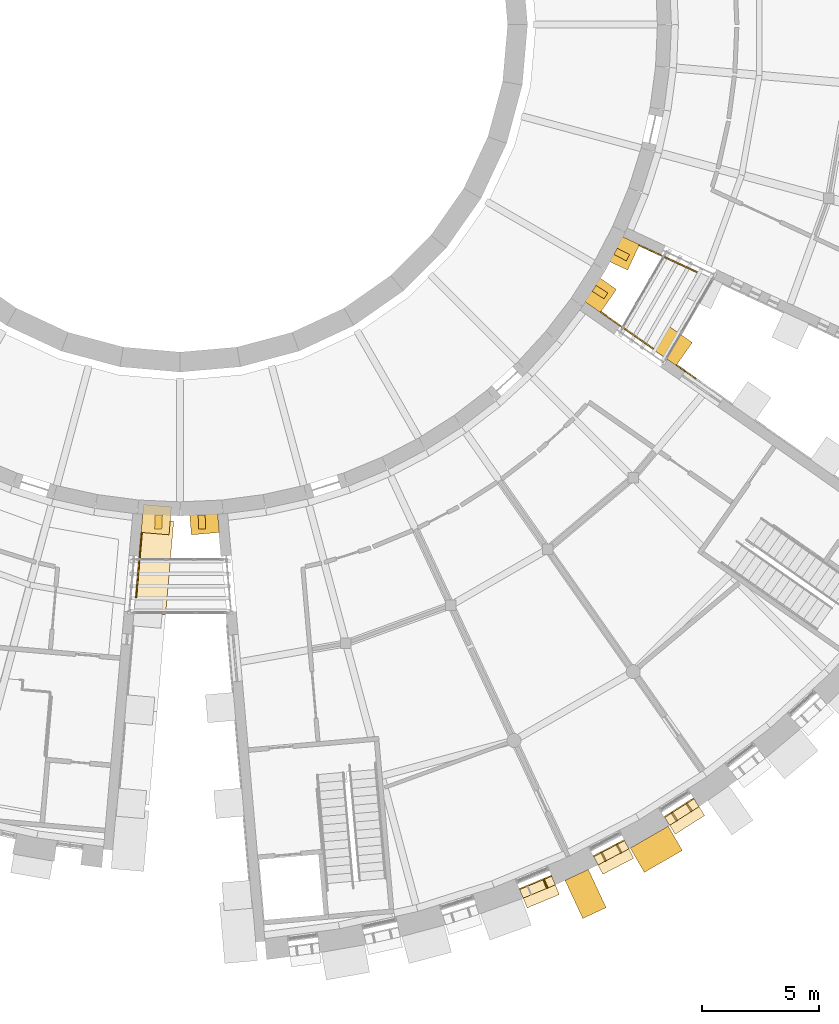
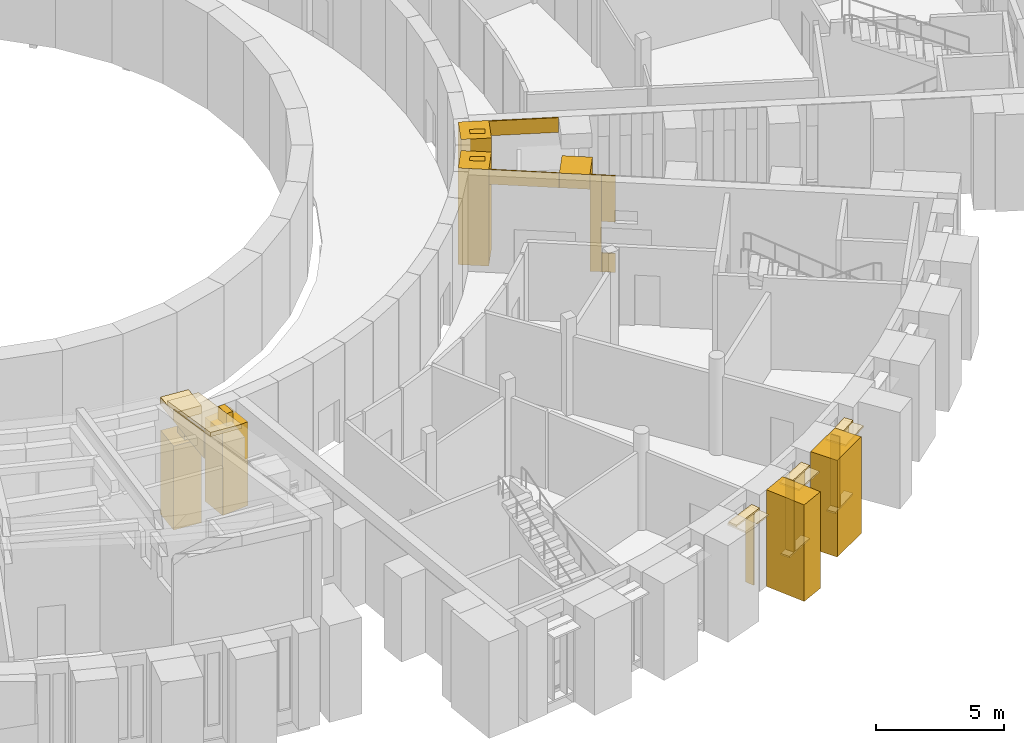
# One storey, part 54 of 66: 32 coverings.
"""IFC4 building model written with IfcOpenShell, lengths in metres."""

from ifc_helpers import new_model, si_unit, direction, frame, origin, origin_2d, place, context, subcontext, project, spatial, polyline, rectangle, outline, extrude, material, layer, layer_set, type_object, element, save


model = new_model("IFC4")

# Units and contexts
model_context = context("Model", 3, precision=1e-05, world=origin(), true_north=direction((0.0, 1.0)))
body_context = subcontext(model_context, "Body", "Model", "MODEL_VIEW")
ifc_project = project(units=[si_unit("LENGTHUNIT", "METRE"), si_unit("AREAUNIT", "SQUARE_METRE"), si_unit("VOLUMEUNIT", "CUBIC_METRE"), si_unit("PLANEANGLEUNIT", "RADIAN"), si_unit("MASSUNIT", "GRAM", prefix="KILO")], contexts=[model_context])

# Site, building, storey
site_placement = place(None, origin())
site = spatial("IfcSite", under=ifc_project, at=site_placement, CompositionType="ELEMENT")
building_placement = place(site_placement, origin())
building = spatial("IfcBuilding", under=site, at=building_placement, Name="Volute Hill Aquarium", CompositionType="ELEMENT")
storey_placement = place(building_placement, frame((0.0, 0.0, 4.60009765625)))
storey = spatial("IfcBuildingStorey", under=building, at=storey_placement, Name="L02", CompositionType="ELEMENT", Elevation=4.60009765625)

# Coverings
ifc_material_1 = material(Name="Precast pale concrete C40/50", Category="concrete")
covering_type_1 = type_object("IfcCoveringType", Name="Drum pier fin 300x600", PredefinedType="CLADDING", material=ifc_material_1)
for number, where, z_axis, x_axis, name in (
    (1, (-0.92822265625, -21.260009765625, -0.000244140625), (0.0, 0.0, 1.0), (0.999048221582, -0.043619387365, 0.0), "Drum pier fin DF 54 L02"),
    (2, (0.92822265625, -21.260009765625, -0.000244140625), (0.0, 0.0, 1.0), (0.999048221582, 0.043619387365, 0.0), "Drum pier fin DF 55 L02"),
    (3, (17.947509765625, -11.433837890625, -0.000244140625), (0.0, 0.0, 1.0), (0.537299608347, 0.843391445813, 0.0), "Drum pier fin DF 66 L02"),
    (4, (18.8759765625, -9.826171875, -0.000244140625), (0.0, 0.0, 1.0), (0.461748613235, 0.887010833178, 0.0), "Drum pier fin DF 67 L02"),
):
    element("IfcCovering", number, at=place(storey_placement, frame(where, z_axis=z_axis, x_axis=x_axis)), inside=storey, type_object=covering_type_1, Name=name, PredefinedType="CLADDING", context=body_context, shape_type="SweptSolid", body=[
        extrude(rectangle(XDim=0.300048828125, YDim=0.60009765625, at=origin_2d()), origin(), (0.0, 0.0, 1.0), 4.60009765625),
    ])
ifc_material_2 = material(Name="Precast concrete C40/50", Category="concrete")
covering_type_2 = type_object("IfcCoveringType", Name="End wall precast coping C40/50 1350x200", PredefinedType="CLADDING", material=ifc_material_2)
covering_1_placement = place(storey_placement, frame((-1.620849609375, -21.109130859375, 5.58544921875), z_axis=(-0.996191999055, 0.087186587376, 0.0), x_axis=(-0.084441396822, -0.964825513128, 0.24896059873)))
element("IfcCovering", 5, at=covering_1_placement, inside=storey, type_object=covering_type_2, Name="End wall coping EWC S2B L02 1", PredefinedType="CLADDING", context=body_context, shape_type="SweptSolid", body=[
    extrude(outline(polyline([(0.0, 0.0), (4.140260442843713, 0.0), (4.190101187706725, 0.193891885592133), (0.04977996346683731, 0.1936554320731183), (0.0, 0.0)])), origin(), (0.0, 0.0, -1.0), 1.35009765625),
])
ifc_material_3 = material(Name="Precast concrete C40/50", Category="concrete")
covering_type_3 = type_object("IfcCoveringType", Name="End wall precast fin C40/50 1200x1200", PredefinedType="CLADDING", material=ifc_material_3)
covering_2_placement = place(storey_placement, frame((-1.023193359375, -21.161376953125, 0.0), z_axis=(0.0, 0.0, 1.0), x_axis=(-0.087151294349, -0.996195087266, 0.0)))
element("IfcCovering", 6, at=covering_2_placement, inside=storey, type_object=covering_type_3, Name="End wall fin EWF S2B L02 1", PredefinedType="CLADDING", context=body_context, shape_type="SweptSolid", body=[
    extrude(rectangle(XDim=1.199951171875, YDim=1.199951171875, at=origin_2d()), origin(), (0.0, 0.0, 1.0), 4.0),
])
covering_3_placement = place(storey_placement, frame((-1.023193359375, -21.161376953125, 5.19970703125), z_axis=(0.0, 0.0, 1.0), x_axis=(-0.087151294349, -0.996195087266, 0.0)))
element("IfcCovering", 7, at=covering_3_placement, inside=storey, type_object=covering_type_3, Name="End wall fin EWF S2B L02 1", PredefinedType="CLADDING", context=body_context, shape_type="SweptSolid", body=[
    extrude(rectangle(XDim=1.199951171875, YDim=1.199951171875, at=origin_2d()), origin(), (0.0, 0.0, 1.0), 0.385498046875),
])
covering_4_placement = place(storey_placement, frame((1.023193359375, -21.161376953125, 0.0), z_axis=(0.0, 0.0, 1.0), x_axis=(0.0871544444, -0.996194811682, 0.0)))
element("IfcCovering", 8, at=covering_4_placement, inside=storey, type_object=covering_type_3, Name="End wall fin EWF S3A L02 1", PredefinedType="CLADDING", context=body_context, shape_type="SweptSolid", body=[
    extrude(rectangle(XDim=1.199951171875, YDim=1.199951171875, at=origin_2d()), origin(), (0.0, 0.0, 1.0), 4.0),
])
covering_5_placement = place(storey_placement, frame((17.814697265625, -11.466796875, -0.000244140625), z_axis=(0.0, 0.0, 1.0), x_axis=(0.819152467225, -0.573575832335, 0.0)))
element("IfcCovering", 9, at=covering_5_placement, inside=storey, type_object=covering_type_3, Name="End wall fin EWF S3B L02 1", PredefinedType="CLADDING", context=body_context, shape_type="SweptSolid", body=[
    extrude(rectangle(XDim=1.199951171875, YDim=1.199951171875, at=origin_2d()), origin(), (0.0, 0.0, 1.0), 4.60009765625),
])
covering_6_placement = place(storey_placement, frame((21.056396484375, -13.73681640625, 3.89990234375), z_axis=(0.0, 0.0, 1.0), x_axis=(0.819152467225, -0.573575832335, 0.0)))
element("IfcCovering", 10, at=covering_6_placement, inside=storey, type_object=covering_type_3, Name="End wall fin EWF S3B L02 2", PredefinedType="CLADDING", context=body_context, shape_type="SweptSolid", body=[
    extrude(rectangle(XDim=1.199951171875, YDim=1.199951171875, at=origin_2d()), origin(), (0.0, 0.0, 1.0), 0.699951171875),
])
covering_7_placement = place(storey_placement, frame((18.837890625, -9.694580078125, -0.000244140625), z_axis=(0.0, 0.0, 1.0), x_axis=(0.906308670387, -0.422616367385, 0.0)))
element("IfcCovering", 11, at=covering_7_placement, inside=storey, type_object=covering_type_3, Name="End wall fin EWF S4A L02 1", PredefinedType="CLADDING", context=body_context, shape_type="SweptSolid", body=[
    extrude(rectangle(XDim=1.199951171875, YDim=1.199951171875, at=origin_2d()), origin(), (0.0, 0.0, 1.0), 4.60009765625),
])
ifc_material_4 = material(Name="Precast concrete C40/50", Category="concrete")
ifc_layer_1 = layer(ifc_material_4, 0.050048828125)
ifc_layer_set_1 = layer_set([ifc_layer_1], Name="End wall precast infill panel C40/50 50")
covering_type_4 = type_object("IfcCoveringType", Name="End wall precast infill panel C40/50 50", PredefinedType="CLADDING", material=ifc_layer_set_1)
covering_8_placement = place(storey_placement, frame((-1.67333984375, -21.706787109375, 5.199951171875), z_axis=(-0.996195791942, 0.087143239082, 0.0), x_axis=(-0.087143239082, -0.996195791942, 0.0)))
element("IfcCovering", 12, at=covering_8_placement, inside=storey, type_object=covering_type_4, Name="End wall panel EWP S2B L02 1", PredefinedType="CLADDING", context=body_context, shape_type="SweptSolid", body=[
    extrude(outline(polyline([(0.0, 0.0), (2.810006254688103, 0.0), (2.810006254688103, 1.26220703125), (0.0, 0.539794921875), (0.0, 0.0)])), origin(), (0.0, 0.0, -1.0), 0.050048828125),
])
covering_9_placement = place(storey_placement, frame((17.9619140625, -12.302490234375, 3.89990234375), z_axis=(-0.573557416232, -0.819165361991, 0.0), x_axis=(0.819165361991, -0.573557416232, 0.0)))
element("IfcCovering", 13, at=covering_9_placement, inside=storey, type_object=covering_type_4, Name="End wall panel EWP S3B L02 1", PredefinedType="CLADDING", context=body_context, shape_type="SweptSolid", body=[
    extrude(outline(polyline([(0.0, 0.0), (2.7574274588594703, 0.0), (2.7574274588594703, 0.699951171875), (0.0, 0.699951171875), (0.0, 0.0)])), origin(), (0.0, 0.0, -1.0), 0.050048828125),
])
covering_10_placement = place(storey_placement, frame((21.20361328125, -14.572509765625, 0.0), z_axis=(-0.573462344363, -0.819231920519, 0.0), x_axis=(0.819231920519, -0.573462344363, 0.0)))
element("IfcCovering", 14, at=covering_10_placement, inside=storey, type_object=covering_type_4, Name="End wall panel EWP S3B L02 2", PredefinedType="CLADDING", context=body_context, shape_type="SweptSolid", body=[
    extrude(outline(polyline([(0.0, 0.0), (0.4499975336854954, 0.0), (0.4499975336854954, 4.599853515625), (0.0, 4.599853515625), (0.0, 0.0)])), origin(), (0.0, 0.0, -1.0), 0.050048828125),
])
covering_11_placement = place(storey_placement, frame((21.572265625, -14.83056640625, 0.0), z_axis=(-0.573580694562, -0.819149062641, 0.0), x_axis=(0.819149062641, -0.573580694562, 0.0)))
element("IfcCovering", 15, at=covering_11_placement, inside=storey, type_object=covering_type_4, Name="End wall panel EWP S3B L02 2", PredefinedType="CLADDING", context=body_context, shape_type="SweptSolid", body=[
    extrude(outline(polyline([(0.0, 0.0), (0.5537615825225353, 0.0), (0.5537615825225353, 0.89990234375), (0.0, 0.89990234375), (0.0, 0.0)])), origin(), (0.0, 0.0, -1.0), 0.050048828125),
])
covering_12_placement = place(storey_placement, frame((21.572265625, -14.83056640625, 2.39990234375), z_axis=(-0.573580694562, -0.819149062641, 0.0), x_axis=(0.819149062641, -0.573580694562, 0.0)))
element("IfcCovering", 16, at=covering_12_placement, inside=storey, type_object=covering_type_4, Name="End wall panel EWP S3B L02 2", PredefinedType="CLADDING", context=body_context, shape_type="SweptSolid", body=[
    extrude(outline(polyline([(0.0, 0.0), (0.5537615825225353, 0.0), (0.5537615825225353, 2.199951171875), (0.0, 2.199951171875), (0.0, 0.0)])), origin(), (0.0, 0.0, -1.0), 0.050048828125),
])
covering_13_placement = place(storey_placement, frame((19.6142578125, -9.44970703125, 3.89990234375), z_axis=(-0.422650101756, -0.906292939113, 0.0), x_axis=(0.906292939113, -0.422650101756, 0.0)))
element("IfcCovering", 17, at=covering_13_placement, inside=storey, type_object=covering_type_4, Name="End wall panel EWP S4A L02 1", PredefinedType="CLADDING", context=body_context, shape_type="SweptSolid", body=[
    extrude(outline(polyline([(0.0, 0.0), (2.7258945510421317, 0.0), (2.7258945510421317, 0.699951171875), (0.0, 0.699951171875), (0.0, 0.0)])), origin(), (0.0, 0.0, -1.0), 0.050048828125),
])
ifc_material_5 = material(Name="Aluminium, anodised", Category="aluminium")
ifc_layer_2 = layer(ifc_material_5, 0.080078125)
ifc_layer_set_2 = layer_set([ifc_layer_2], Name="Horizontal brise-soleil eyebrow 900x80")
covering_type_5 = type_object("IfcCoveringType", Name="Horizontal brise-soleil eyebrow 900x80", PredefinedType="CLADDING", material=ifc_layer_set_2)
for number, where, z_axis, x_axis, name in (
    (18, (15.350341796875, -37.058837890625, 3.809814453125), (0.0, 0.0, 1.0), (0.923875360833, 0.382693503532, 0.0), "Brise-soleil eyebrow BS S3 L02 4.1"),
    (19, (18.521728515625, -35.580078125, 3.809814453125), (0.0, 0.0, 1.0), (0.887014858172, 0.461740881211, 0.0), "Brise-soleil eyebrow BS S3 L02 5.1"),
    (20, (21.55224609375, -33.830322265625, 3.809814453125), (0.0, 0.0, 1.0), (0.843389121011, 0.537303257537, 0.0), "Brise-soleil eyebrow BS S3 L02 6.1"),
):
    element("IfcCovering", number, at=place(storey_placement, frame(where, z_axis=z_axis, x_axis=x_axis)), inside=storey, type_object=covering_type_5, Name=name, PredefinedType="CLADDING", context=body_context, shape_type="SweptSolid", body=[
        extrude(rectangle(XDim=1.4892578125, YDim=0.89990234375, at=origin_2d()), origin(), (0.0, 0.0, 1.0), 0.080078125),
    ])
ifc_material_6 = material(Name="Precast concrete C40/50", Category="concrete")
covering_type_6 = type_object("IfcCoveringType", Name="Projecting pier precast concrete C40/50 1100x1800", PredefinedType="CLADDING", material=ifc_material_6)
covering_14_placement = place(storey_placement, frame((17.330078125, -37.16455078125, -0.000244140625), z_axis=(0.0, 0.0, 1.0), x_axis=(0.906307787037, 0.422618261741, 0.0)))
element("IfcCovering", 21, at=covering_14_placement, inside=storey, type_object=covering_type_6, Name="Projecting pier PP S3 L02 4", PredefinedType="CLADDING", context=body_context, shape_type="SweptSolid", body=[
    extrude(rectangle(XDim=1.10009765625, YDim=1.800048828125, at=origin_2d()), origin(), (0.0, 0.0, 1.0), 4.60009765625),
])
ifc_material_7 = material(Name="Precast concrete C40/50", Category="concrete")
covering_type_7 = type_object("IfcCoveringType", Name="Projecting pier precast concrete C40/50 1875x1200", PredefinedType="CLADDING", material=ifc_material_7)
covering_15_placement = place(storey_placement, frame((20.353271484375, -35.2529296875, -0.000244140625), z_axis=(0.0, 0.0, 1.0), x_axis=(0.866025403784, 0.5, 0.0)))
element("IfcCovering", 22, at=covering_15_placement, inside=storey, type_object=covering_type_7, Name="Projecting pier PP S3 L02 5", PredefinedType="CLADDING", context=body_context, shape_type="SweptSolid", body=[
    extrude(rectangle(XDim=1.87548828125, YDim=1.199951171875, at=origin_2d()), origin(), (0.0, 0.0, 1.0), 4.60009765625),
])
ifc_material_8 = material(Name="Timber, thermally modified ash", Category="wood")
covering_type_8 = type_object("IfcCoveringType", Name="Timber louvre fin 60x400", PredefinedType="CLADDING", material=ifc_material_8)
for number, where, z_axis, x_axis, name in (
    (23, (15.61767578125, -36.731689453125, 0.52978515625), (0.0, 0.0, 1.0), (0.923875360833, 0.382693503532, 0.0), "Timber louvre fin S3 L02 4.1.2"),
    (24, (18.09912109375, -35.574462890625, 0.52978515625), (0.0, 0.0, 1.0), (0.887014858172, 0.461740881211, 0.0), "Timber louvre fin S3 L02 5.1.1"),
    (25, (18.759521484375, -35.230712890625, 0.52978515625), (0.0, 0.0, 1.0), (0.887014858172, 0.461740881211, 0.0), "Timber louvre fin S3 L02 5.1.2"),
    (26, (21.130859375, -33.861572265625, 0.52978515625), (0.0, 0.0, 1.0), (0.843389121011, 0.537303257537, 0.0), "Timber louvre fin S3 L02 6.1.1"),
    (27, (21.7587890625, -33.461669921875, 0.52978515625), (0.0, 0.0, 1.0), (0.843389121011, 0.537303257537, 0.0), "Timber louvre fin S3 L02 6.1.2"),
):
    element("IfcCovering", number, at=place(storey_placement, frame(where, z_axis=z_axis, x_axis=x_axis)), inside=storey, type_object=covering_type_8, Name=name, PredefinedType="CLADDING", context=body_context, shape_type="SweptSolid", body=[
        extrude(rectangle(XDim=0.06005859375, YDim=0.39990234375, at=origin_2d()), origin(), (0.0, 0.0, 1.0), 3.389892578125),
    ])
ifc_material_9 = material(Name="Timber, thermally modified ash", Category="wood")
covering_type_9 = type_object("IfcCoveringType", Name="Timber louvre fin rail 400x80", PredefinedType="CLADDING", material=ifc_material_9)
for number, where, z_axis, x_axis, name in (
    (28, (15.273681640625, -36.8740234375, 3.919921875), (0.0, 0.0, 1.0), (0.923875360833, 0.382693503532, 0.0), "Timber louvre fin rail S3 L02 4.2"),
    (29, (18.429443359375, -35.402587890625, 0.449951171875), (0.0, 0.0, 1.0), (0.887014858172, 0.461740881211, 0.0), "Timber louvre fin rail S3 L02 5.1"),
    (30, (18.429443359375, -35.402587890625, 3.919921875), (0.0, 0.0, 1.0), (0.887014858172, 0.461740881211, 0.0), "Timber louvre fin rail S3 L02 5.2"),
    (31, (21.44482421875, -33.66162109375, 0.449951171875), (0.0, 0.0, 1.0), (0.843389121011, 0.537303257537, 0.0), "Timber louvre fin rail S3 L02 6.1"),
    (32, (21.44482421875, -33.66162109375, 3.919921875), (0.0, 0.0, 1.0), (0.843389121011, 0.537303257537, 0.0), "Timber louvre fin rail S3 L02 6.2"),
):
    element("IfcCovering", number, at=place(storey_placement, frame(where, z_axis=z_axis, x_axis=x_axis)), inside=storey, type_object=covering_type_9, Name=name, PredefinedType="CLADDING", context=body_context, shape_type="SweptSolid", body=[
        extrude(rectangle(XDim=1.4892578125, YDim=0.39990234375, at=origin_2d()), origin(), (0.0, 0.0, 1.0), 0.080078125),
    ])

save(model, "model.ifc")
